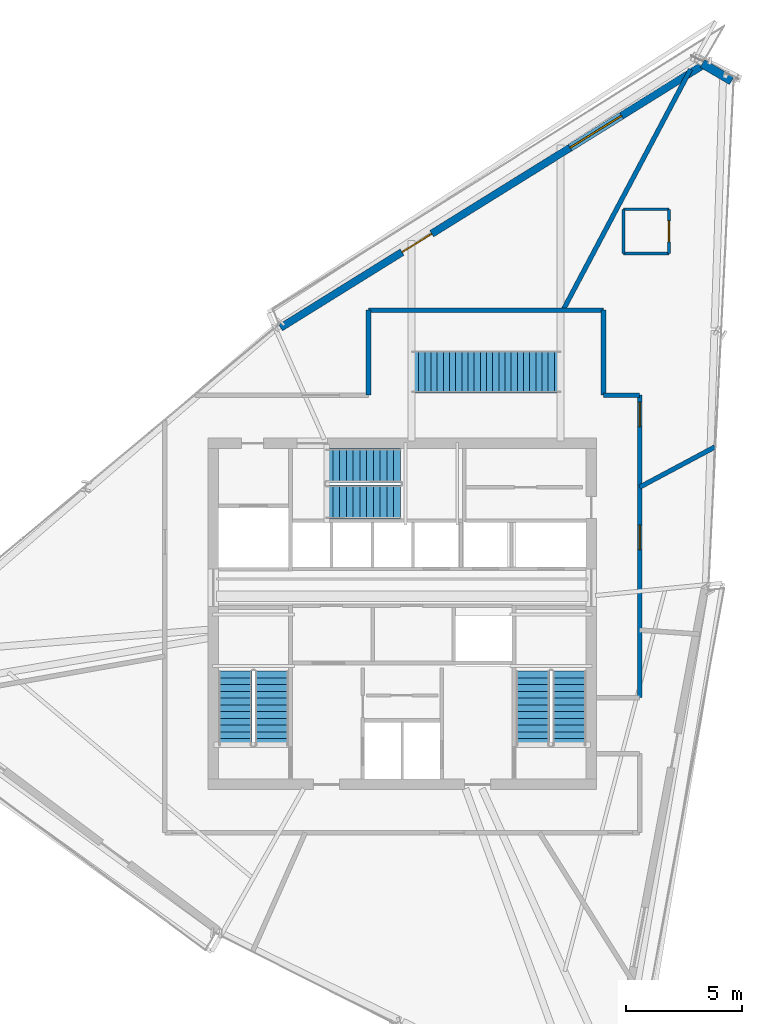
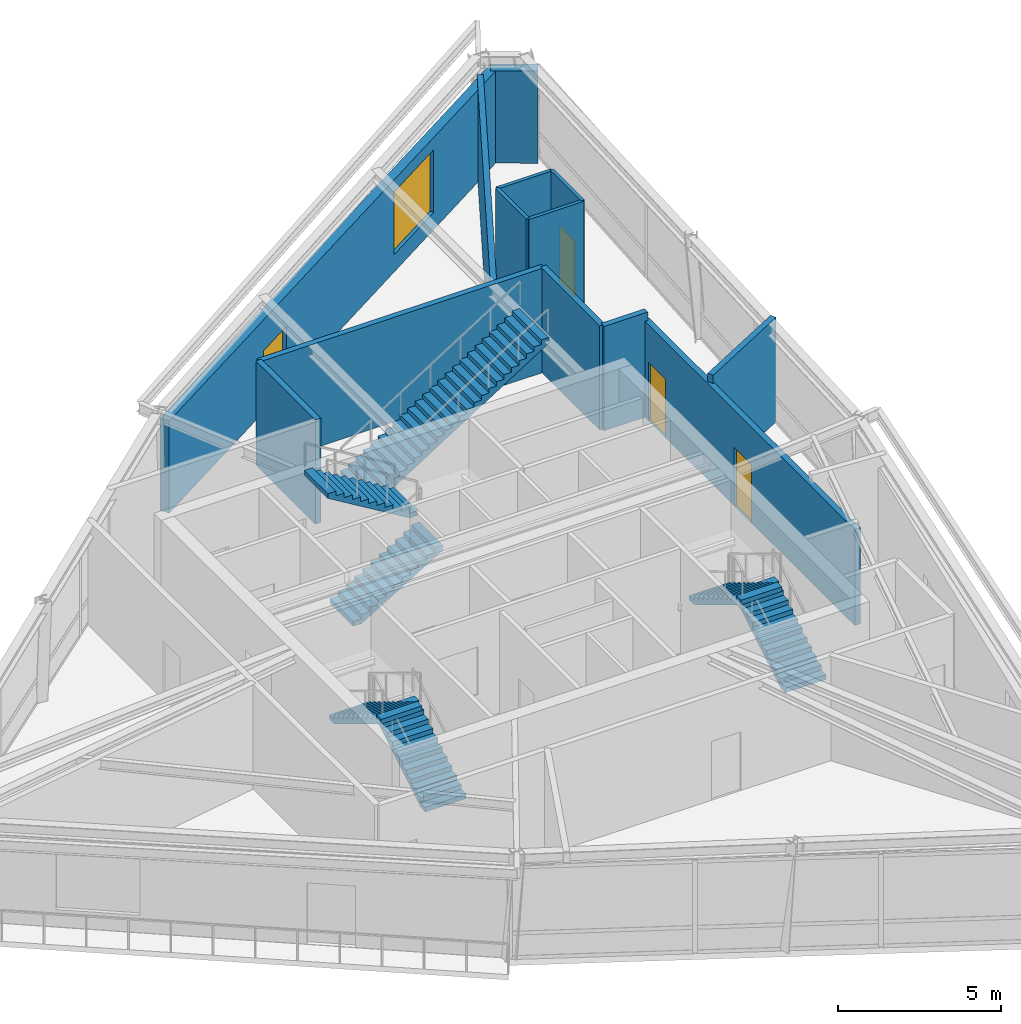
# One storey, part 18 of 21: 13 walls, 7 stair flights, 4 doors, 1 window, 5 openings, 4 elements without a shape of their own.
"""IFC4 building model written with IfcOpenShell, lengths in metres."""

import ifcopenshell
import ifcopenshell.guid

model = None  # the IFC model being written
_history = None  # IfcOwnerHistory: only IFC2X3 demands one
_inside = {}  # id of a spatial element -> (the spatial element, [elements in it])
_under = {}  # id of a project, library or spatial element -> (it, [spatial elements below it])
_declared = {}  # id of a project -> (the project, [libraries it declares])
_typed = {}  # id of a type object -> (the type object, [elements of that type])
_made_of = {}  # id of a material, layer set ... -> (it, [elements and type objects made of it])


def new_model(schema):
    """Start an empty IFC model of exactly this schema.

    Asked for "IFC4X3", IfcOpenShell would pick the latest addendum, in which some entities
    have other attributes; the version numbers below select the first issue.
    IFC2X3 requires an IfcOwnerHistory on every rooted entity: one is made here for all.
    """
    global model, _history
    if schema == "IFC4X3":
        model = ifcopenshell.file(schema_version=(4, 3, 0, 0))
    else:
        model = ifcopenshell.file(schema=schema)
    _inside.clear()
    _under.clear()
    _declared.clear()
    _typed.clear()
    _made_of.clear()
    _history = None
    if model.schema == "IFC2X3":
        org = make("IfcOrganization", Name="unknown")
        user = make(
            "IfcPersonAndOrganization",
            ThePerson=make("IfcPerson", FamilyName="unknown"),
            TheOrganization=org,
        )
        app = make(
            "IfcApplication",
            ApplicationDeveloper=org,
            Version="unknown",
            ApplicationFullName="unknown",
            ApplicationIdentifier="unknown",
        )
        _history = make(
            "IfcOwnerHistory",
            OwningUser=user,
            OwningApplication=app,
            ChangeAction="ADDED",
            CreationDate=0,
        )
    return model


def make(cls, **values):
    """One entity of the class cls with the attributes given. An attribute that is None is left unset."""
    return model.create_entity(
        cls, **{name: value for name, value in values.items() if value is not None}
    )


def rooted(cls, **values):
    """An entity with a GlobalId (a new one), such as an element, a storey or a relation."""
    return make(cls, GlobalId=ifcopenshell.guid.new(), OwnerHistory=_history, **values)


def si_unit(unit_type, name, prefix=None):
    """IfcSIUnit, for example si_unit("LENGTHUNIT", "METRE", prefix="MILLI")."""
    return make("IfcSIUnit", UnitType=unit_type, Prefix=prefix, Name=name)


def assignment(units):
    """IfcUnitAssignment: the units of a project."""
    return None if units is None else make("IfcUnitAssignment", Units=units)


def point(xyz):
    """IfcCartesianPoint."""
    return None if xyz is None else make("IfcCartesianPoint", Coordinates=xyz)


def direction(xyz):
    """IfcDirection."""
    return None if xyz is None else make("IfcDirection", DirectionRatios=xyz)


def frame(location, z_axis=None, x_axis=None):
    """IfcAxis2Placement3D, a coordinate frame: its origin and axes. An axis left out is left unset."""
    return make(
        "IfcAxis2Placement3D",
        Location=point(location),
        Axis=direction(z_axis),
        RefDirection=direction(x_axis),
    )


def frame_2d(location, x_axis=None):
    """IfcAxis2Placement2D, a coordinate frame in the plane: its origin and x axis."""
    return make(
        "IfcAxis2Placement2D", Location=point(location), RefDirection=direction(x_axis)
    )


def origin():
    """The frame at (0, 0, 0) with its axes left unset."""
    return frame((0.0, 0.0, 0.0))


def place(relative_to, where):
    """IfcLocalPlacement: puts the frame where relative to a parent placement (None: the world)."""
    return make(
        "IfcLocalPlacement", PlacementRelTo=relative_to, RelativePlacement=where
    )


def context(
    kind, dimensions, precision=None, world=None, true_north=None, identifier=None
):
    """IfcGeometricRepresentationContext, for example the 3D "Model" context."""
    return make(
        "IfcGeometricRepresentationContext",
        ContextIdentifier=identifier,
        ContextType=kind,
        CoordinateSpaceDimension=dimensions,
        Precision=precision,
        WorldCoordinateSystem=world,
        TrueNorth=true_north,
    )


def subcontext(parent, identifier, kind, view, scale=None):
    """IfcGeometricRepresentationSubContext, for example "Body" below "Model"."""
    return make(
        "IfcGeometricRepresentationSubContext",
        ContextIdentifier=identifier,
        ContextType=kind,
        ParentContext=parent,
        TargetScale=scale,
        TargetView=view,
    )


def project(units=None, contexts=None):
    """IfcProject with its units and contexts."""
    return rooted(
        "IfcProject",
        Name="project",
        RepresentationContexts=contexts,
        UnitsInContext=assignment(units),
    )


def spatial(cls, under=None, at=None, **own):
    """A site, building, storey or space (cls), placed at a placement, below another one or the project."""
    s = rooted(cls, ObjectPlacement=at, **own)
    if under is not None:
        _under.setdefault(under.id(), (under, []))[1].append(s)
    return s


def polyline(points):
    """IfcPolyline through the points."""
    return make("IfcPolyline", Points=[point(p) for p in points])


def profile(cls, at=None, kind="AREA", **sizes):
    """A parametric profile (cls). Its sizes go by their IFC names, for example OverallWidth=200.0."""
    return make(cls, ProfileType=kind, Position=at, **sizes)


def rectangle(**sizes):
    """IfcRectangleProfileDef."""
    return profile("IfcRectangleProfileDef", **sizes)


def outline(outer, holes=None, kind="AREA"):
    """IfcArbitraryClosedProfileDef: a profile drawn as a closed curve; with holes, ...WithVoids."""
    if holes is None:
        return make("IfcArbitraryClosedProfileDef", ProfileType=kind, OuterCurve=outer)
    return make(
        "IfcArbitraryProfileDefWithVoids",
        ProfileType=kind,
        OuterCurve=outer,
        InnerCurves=holes,
    )


def extrude(swept, where, along, depth):
    """IfcExtrudedAreaSolid: the profile swept, set in the frame where, extruded along a direction by depth."""
    return make(
        "IfcExtrudedAreaSolid",
        SweptArea=swept,
        Position=where,
        ExtrudedDirection=direction(along),
        Depth=depth,
    )


def shape(context_of_items, identifier, shape_type, items):
    """IfcShapeRepresentation: the items that make up one representation, for example the "Body"."""
    return make(
        "IfcShapeRepresentation",
        ContextOfItems=context_of_items,
        RepresentationIdentifier=identifier,
        RepresentationType=shape_type,
        Items=items,
    )


def source(mapping_origin, context_of_items, identifier, shape_type, items):
    """IfcRepresentationMap: a shape defined once, which mapped items show again and again."""
    return make(
        "IfcRepresentationMap",
        MappingOrigin=mapping_origin,
        MappedRepresentation=shape(context_of_items, identifier, shape_type, items),
    )


def transform(
    local_origin,
    x_axis=None,
    y_axis=None,
    z_axis=None,
    scale=None,
    scale2=None,
    scale3=None,
    uniform=True,
):
    """IfcCartesianTransformationOperator3D, or its non-uniform kind. x_axis, y_axis, z_axis: its Axis1, 2, 3."""
    if uniform:
        return make(
            "IfcCartesianTransformationOperator3D",
            Axis1=direction(x_axis),
            Axis2=direction(y_axis),
            LocalOrigin=point(local_origin),
            Scale=scale,
            Axis3=direction(z_axis),
        )
    return make(
        "IfcCartesianTransformationOperator3DnonUniform",
        Axis1=direction(x_axis),
        Axis2=direction(y_axis),
        LocalOrigin=point(local_origin),
        Scale=scale,
        Axis3=direction(z_axis),
        Scale2=scale2,
        Scale3=scale3,
    )


def mapped(mapping_source, mapping_target):
    """IfcMappedItem: shows the shape of a source again, moved by a transform."""
    return make(
        "IfcMappedItem", MappingSource=mapping_source, MappingTarget=mapping_target
    )


def material(Name=None, Category=None):
    """IfcMaterial."""
    return make("IfcMaterial", Name=Name, Category=Category)


def layer(
    of_material, thickness, ventilated=None, Name=None, Category=None, Priority=None
):
    """IfcMaterialLayer: one layer of a wall or slab, of a material (None: an air gap)."""
    return make(
        "IfcMaterialLayer",
        Material=of_material,
        LayerThickness=thickness,
        IsVentilated=ventilated,
        Name=Name,
        Category=Category,
        Priority=Priority,
    )


def layer_set(layers, Name=None):
    """IfcMaterialLayerSet."""
    return make("IfcMaterialLayerSet", MaterialLayers=layers, LayerSetName=Name)


def made_of(thing, what):
    """Note that an element or type object is made of a material, layer set ...; save() writes the relation."""
    if what is not None:
        _made_of.setdefault(what.id(), (what, []))[1].append(thing)
    return thing


def type_object(cls, material=None, **own):
    """A type object (cls), such as IfcWallType, which elements share."""
    return made_of(rooted(cls, **own), material)


def type_shapes(of_type, sources):
    """Give a type object the sources (RepresentationMaps) that its elements show as mapped items."""
    of_type.RepresentationMaps = sources


def element(
    cls,
    number,
    at=None,
    inside=None,
    cuts=None,
    type_object=None,
    material=None,
    context=None,
    identifier="Body",
    shape_type=None,
    held_by="IfcProductDefinitionShape",
    body=None,
    shapes=None,
    **own,
):
    """One element of the class cls, such as IfcWall. Its Tag is "e" and its number.

    at: its placement. inside: the storey or other place that contains it. cuts: it is an
    opening in that element (IfcRelVoidsElement). A single representation is given by context,
    identifier, shape_type and body (its items); several are given by shapes. held_by: the class
    of the entity that holds the representations. save() writes the other relations.
    """
    e = rooted(cls, Tag="e%d" % number, ObjectPlacement=at, **own)
    if body is not None:
        shapes = [shape(context, identifier, shape_type, body)]
    if shapes is not None:
        e.Representation = make(held_by, Representations=shapes)
    if inside is not None:
        _inside.setdefault(inside.id(), (inside, []))[1].append(e)
    if cuts is not None:
        rooted(
            "IfcRelVoidsElement", RelatingBuildingElement=cuts, RelatedOpeningElement=e
        )
    if type_object is not None:
        _typed.setdefault(type_object.id(), (type_object, []))[1].append(e)
    return made_of(e, material)


def fill(opening, filler):
    """IfcRelFillsElement: the door or window that sits in an opening."""
    return rooted(
        "IfcRelFillsElement",
        RelatingOpeningElement=opening,
        RelatedBuildingElement=filler,
    )


def aggregate(whole, parts):
    """IfcRelAggregates: a whole, such as a stair, and the parts it consists of."""
    return rooted("IfcRelAggregates", RelatingObject=whole, RelatedObjects=parts)


def save(model, path):
    """Write the relations noted so far, then the file.

    IfcRelAggregates (storeys below a building ...), IfcRelContainedInSpatialStructure (elements
    in a storey), IfcRelDefinesByType, IfcRelAssociatesMaterial and IfcRelDeclares: one each for
    every whole, place, type object, material and project.
    """
    for whole, parts in _under.values():
        aggregate(whole, parts)
    for where, things in _inside.values():
        rooted(
            "IfcRelContainedInSpatialStructure",
            RelatedElements=things,
            RelatingStructure=where,
        )
    for kind, things in _typed.values():
        rooted("IfcRelDefinesByType", RelatedObjects=things, RelatingType=kind)
    for what, things in _made_of.values():
        rooted("IfcRelAssociatesMaterial", RelatedObjects=things, RelatingMaterial=what)
    for by, libraries in _declared.values():
        rooted("IfcRelDeclares", RelatingContext=by, RelatedDefinitions=libraries)
    model.write(path)


model = new_model("IFC4")

# Units and contexts
model_context = context("Model", 3, precision=1e-05, world=origin(), true_north=direction((0.0, 1.0)))
body_context = subcontext(model_context, "Body", "Model", "MODEL_VIEW")
ifc_project = project(units=[si_unit("LENGTHUNIT", "METRE"), si_unit("AREAUNIT", "SQUARE_METRE"), si_unit("VOLUMEUNIT", "CUBIC_METRE"), si_unit("PLANEANGLEUNIT", "RADIAN"), si_unit("MASSUNIT", "GRAM", prefix="KILO")], contexts=[model_context])

# Site, building, storey
site_placement = place(None, origin())
site = spatial("IfcSite", under=ifc_project, at=site_placement, CompositionType="ELEMENT")
building_placement = place(site_placement, origin())
building = spatial("IfcBuilding", under=site, at=building_placement, Name="Olszyna Solenne Hotel", CompositionType="ELEMENT")
storey_placement = place(building_placement, frame((0.0, 0.0, 277.699951171875)))
storey = spatial("IfcBuildingStorey", under=building, at=storey_placement, Name="L74", CompositionType="ELEMENT", Elevation=277.699951171875)

# Wall, openings, door, window
ifc_material_1 = material(Name="Precast concrete C45/55", Category="concrete")
ifc_layer_1 = layer(ifc_material_1, 0.320068359375, Name="Precast concrete C45/55")
ifc_layer_set_1 = layer_set([ifc_layer_1], Name="Precast concrete C45/55")
wall_type_1 = type_object("IfcWallType", Name="WL-EX320", PredefinedType="SOLIDWALL", material=ifc_layer_set_1)
wall_1_placement = place(storey_placement, frame((32.773681640625, 38.897705078125, 0.0), z_axis=(0.0, 0.0, 1.0), x_axis=(0.849325275004, 0.527869848769, 0.0)))
wall_1 = element("IfcWall", 1, at=wall_1_placement, inside=storey, type_object=wall_type_1, Name="Exterior terracotta-precast frame wall WL-EX320 EW-L74-08", PredefinedType="SOLIDWALL", context=body_context, shape_type="SweptSolid", body=[
    extrude(rectangle(XDim=21.548828125, YDim=0.320068359375, at=frame_2d((10.7744140625, 0.0))), origin(), (0.0, 0.0, 1.0), 3.462158203125),
])
opening_1_placement = place(wall_1_placement, frame((6.14599609375, 0.0, 0.0)))
opening_1 = element("IfcOpeningElement", 2, at=opening_1_placement, cuts=wall_1, Name="Opening LDG-L74-1", PredefinedType="OPENING", context=body_context, shape_type="SweptSolid", body=[
    extrude(rectangle(XDim=1.5, YDim=2.300048828125, at=frame_2d((0.75, 1.14990234375))), frame((0.0, 0.169921875, 0.0), z_axis=(0.0, -1.0, 0.0), x_axis=(1.0, 0.0, 0.0)), (0.0, 0.0, 1.0), 0.340087890625),
])
opening_2_placement = place(wall_1_placement, frame((14.64599609375, 0.0, 0.64990234375)))
opening_2 = element("IfcOpeningElement", 3, at=opening_2_placement, cuts=wall_1, Name="Opening WN-L74-496", PredefinedType="OPENING", context=body_context, shape_type="SweptSolid", body=[
    extrude(rectangle(XDim=2.60009765625, YDim=2.35009765625, at=frame_2d((1.300048828125, 1.175048828125))), frame((0.0, 0.169921875, 0.0), z_axis=(0.0, -1.0, 0.0), x_axis=(1.0, 0.0, 0.0)), (0.0, 0.0, 1.0), 0.340087890625),
])
ifc_material_2 = material(Name="Anodised bronze aluminium", Category="aluminium")
door_type_1 = type_object("IfcDoorType", Name="DR-LG2", OperationType="DOUBLE_DOOR_SINGLE_SWING", PredefinedType="DOOR", material=ifc_material_2)
shared_shape_1 = source(origin(), body_context, "Body", "SweptSolid", [
    extrude(rectangle(XDim=1.5, YDim=2.300048828125, at=frame_2d((0.75, 1.14990234375))), frame((0.0, 0.02490234375, 0.0), z_axis=(0.0, -1.0, 0.0), x_axis=(1.0, 0.0, 0.0)), (0.0, 0.0, 1.0), 0.050048828125),
])
type_shapes(door_type_1, [shared_shape_1])
door_1_placement = place(opening_1_placement, origin())
door_1 = element("IfcDoor", 4, at=door_1_placement, inside=storey, type_object=door_type_1, Name="Exterior loggia balcony door DR-LG2 LDG-L74-1", OperationType="DOUBLE_DOOR_SINGLE_SWING", OverallHeight=2.300048828125, OverallWidth=1.5, PredefinedType="DOOR", context=body_context, shape_type="MappedRepresentation", body=[
    mapped(shared_shape_1, transform((0.0, 0.0, 0.0), x_axis=(1.0, 0.0, 0.0), y_axis=(0.0, 1.0, 0.0), z_axis=(0.0, 0.0, 1.0), scale=1.0)),
])
fill(opening_1, door_1)
ifc_material_3 = material(Name="Low-E triple glazing", Category="glass")
window_type = type_object("IfcWindowType", Name="WN-ST1", PartitioningType="SINGLE_PANEL", PredefinedType="WINDOW", material=ifc_material_3)
shared_shape_2 = source(origin(), body_context, "Body", "SweptSolid", [
    extrude(rectangle(XDim=2.60009765625, YDim=2.35009765625, at=frame_2d((1.300048828125, 1.175048828125))), frame((0.0, 0.030029296875, 0.0), z_axis=(0.0, -1.0, 0.0), x_axis=(1.0, 0.0, 0.0)), (0.0, 0.0, 1.0), 0.06005859375),
])
type_shapes(window_type, [shared_shape_2])
window_placement = place(opening_2_placement, origin())
window = element("IfcWindow", 5, at=window_placement, inside=storey, type_object=window_type, Name="Loggia room window WN-ST1 WN-L74-496", OverallHeight=2.35009765625, OverallWidth=2.60009765625, PartitioningType="SINGLE_PANEL", PredefinedType="WINDOW", context=body_context, shape_type="MappedRepresentation", body=[
    mapped(shared_shape_2, transform((0.0, 0.0, 0.0), x_axis=(1.0, 0.0, 0.0), y_axis=(0.0, 1.0, 0.0), z_axis=(0.0, 0.0, 1.0), scale=1.0)),
])
fill(opening_2, window)

# Wall
ifc_material_4 = material(Name="Terracotta cladding on precast concrete C45/55", Category="masonry")
ifc_layer_2 = layer(ifc_material_4, 0.3798828125, Name="Terracotta cladding on precast concrete C45/55")
ifc_layer_set_2 = layer_set([ifc_layer_2], Name="Terracotta cladding on precast concrete C45/55")
wall_type_2 = type_object("IfcWallType", Name="WL-EX380", PredefinedType="SOLIDWALL", material=ifc_layer_set_2)
wall_2_placement = place(storey_placement, frame((50.89501953125, 50.244873046875, 0.0), z_axis=(0.0, 0.0, 1.0), x_axis=(0.862045920942, -0.506830178844, 0.0)))
element("IfcWall", 6, at=wall_2_placement, inside=storey, type_object=wall_type_2, Name="Exterior terracotta-precast frame wall WL-EX380 EW-L74-09", PredefinedType="SOLIDWALL", context=body_context, shape_type="SweptSolid", body=[
    extrude(rectangle(XDim=1.46044921875, YDim=0.3798828125, at=frame_2d((0.730224609375, 0.0))), origin(), (0.0, 0.0, 1.0), 3.462158203125),
])

# Wall, opening, door
ifc_material_5 = material(Name="Acoustic gypsum partition", Category="gypsum")
ifc_layer_3 = layer(ifc_material_5, 0.125, Name="Acoustic gypsum partition")
ifc_layer_set_3 = layer_set([ifc_layer_3], Name="Acoustic gypsum partition")
wall_type_3 = type_object("IfcWallType", Name="WL-PT125", PredefinedType="PARTITIONING", material=ifc_layer_set_3)
wall_3_placement = place(storey_placement, frame((49.462890625, 42.083984375, 0.0), z_axis=(0.0, 0.0, 1.0), x_axis=(0.0, 1.0, 0.0)))
wall_3 = element("IfcWall", 7, at=wall_3_placement, inside=storey, type_object=wall_type_3, Name="Interior acoustic partition WL-PT125 PW-L74-4058", PredefinedType="PARTITIONING", context=body_context, shape_type="SweptSolid", body=[
    extrude(rectangle(XDim=1.89990234375, YDim=0.125, at=frame_2d((0.949951171875, 0.0))), origin(), (0.0, 0.0, 1.0), 3.920166015625),
])
opening_3_placement = place(wall_3_placement, frame((0.5, 0.0, 0.0)))
opening_3 = element("IfcOpeningElement", 8, at=opening_3_placement, cuts=wall_3, Name="Opening DR-L74-0980", PredefinedType="OPENING", context=body_context, shape_type="SweptSolid", body=[
    extrude(rectangle(XDim=0.89990234375, YDim=2.10009765625, at=frame_2d((0.449951171875, 1.050048828125))), frame((0.0, 0.072509765625, 0.0), z_axis=(0.0, -1.0, 0.0), x_axis=(1.0, 0.0, 0.0)), (0.0, 0.0, 1.0), 0.14501953125),
])
ifc_material_6 = material(Name="Timber hardwood", Category="wood")
door_type_2 = type_object("IfcDoorType", Name="DR-WC1", OperationType="NOTDEFINED", PredefinedType="DOOR", material=ifc_material_6)
shared_shape_3 = source(origin(), body_context, "Body", "SweptSolid", [
    extrude(rectangle(XDim=0.89990234375, YDim=2.10009765625, at=frame_2d((0.449951171875, 1.050048828125))), frame((0.0, 0.02490234375, 0.0), z_axis=(0.0, -1.0, 0.0), x_axis=(1.0, 0.0, 0.0)), (0.0, 0.0, 1.0), 0.050048828125),
])
type_shapes(door_type_2, [shared_shape_3])
door_2_placement = place(opening_3_placement, origin())
door_2 = element("IfcDoor", 9, at=door_2_placement, inside=storey, type_object=door_type_2, Name="En-Suite Bathroom Door DR-L74-0980", OperationType="SINGLE_SWING_LEFT", OverallHeight=2.10009765625, OverallWidth=0.89990234375, PredefinedType="DOOR", context=body_context, shape_type="MappedRepresentation", body=[
    mapped(shared_shape_3, transform((0.0, 0.0, 0.0), x_axis=(1.0, 0.0, 0.0), y_axis=(0.0, 1.0, 0.0), z_axis=(0.0, 0.0, 1.0), scale=1.0)),
])
fill(opening_3, door_2)

# Walls
wall_4_placement = place(storey_placement, frame((49.462890625, 43.98388671875, 0.0), z_axis=(0.0, 0.0, 1.0), x_axis=(-1.0, 0.0, 0.0)))
element("IfcWall", 10, at=wall_4_placement, inside=storey, type_object=wall_type_3, Name="Interior acoustic partition WL-PT125 PW-L74-4059", PredefinedType="PARTITIONING", context=body_context, shape_type="SweptSolid", body=[
    extrude(rectangle(XDim=1.949951171875, YDim=0.125, at=frame_2d((0.97509765625, 0.0))), origin(), (0.0, 0.0, 1.0), 3.920166015625),
])
wall_5_placement = place(storey_placement, frame((47.512939453125, 43.98388671875, 0.0), z_axis=(0.0, 0.0, 1.0), x_axis=(0.0, -1.0, 0.0)))
element("IfcWall", 11, at=wall_5_placement, inside=storey, type_object=wall_type_3, Name="Interior acoustic partition WL-PT125 PW-L74-4060", PredefinedType="PARTITIONING", context=body_context, shape_type="SweptSolid", body=[
    extrude(rectangle(XDim=1.89990234375, YDim=0.125, at=frame_2d((0.949951171875, 0.0))), origin(), (0.0, 0.0, 1.0), 3.920166015625),
])
wall_6_placement = place(storey_placement, frame((47.512939453125, 42.083984375, 0.0), z_axis=(0.0, 0.0, 1.0), x_axis=(1.0, 0.0, 0.0)))
element("IfcWall", 12, at=wall_6_placement, inside=storey, type_object=wall_type_3, Name="Interior acoustic partition WL-PT125 PW-L74-4061", PredefinedType="PARTITIONING", context=body_context, shape_type="SweptSolid", body=[
    extrude(rectangle(XDim=1.949951171875, YDim=0.125, at=frame_2d((0.97509765625, 0.0))), origin(), (0.0, 0.0, 1.0), 3.920166015625),
])
ifc_layer_4 = layer(ifc_material_5, 0.199951171875, Name="Acoustic gypsum partition")
ifc_layer_set_4 = layer_set([ifc_layer_4], Name="Acoustic gypsum partition")
wall_type_4 = type_object("IfcWallType", Name="WL-PT200", PredefinedType="PARTITIONING", material=ifc_layer_set_4)
wall_7_placement = place(storey_placement, frame((44.90966796875, 39.64990234375, 0.0), z_axis=(0.0, 0.0, 1.0), x_axis=(0.467924120406, 0.883768644806, 0.0)))
element("IfcWall", 13, at=wall_7_placement, inside=storey, type_object=wall_type_4, Name="Interior acoustic partition WL-PT200 PW-L74-4052", PredefinedType="PARTITIONING", context=body_context, shape_type="SweptSolid", body=[
    extrude(rectangle(XDim=11.710205078125, YDim=0.199951171875, at=frame_2d((5.85498046875, 0.0))), origin(), (0.0, 0.0, 1.0), 3.51513671875),
])
wall_8_placement = place(storey_placement, frame((48.199951171875, 32.04638671875, 0.0), z_axis=(0.0, 0.0, 1.0), x_axis=(0.882140511226, 0.470986325124, 0.0)))
element("IfcWall", 14, at=wall_8_placement, inside=storey, type_object=wall_type_4, Name="Interior acoustic partition WL-PT200 PW-L74-4057", PredefinedType="PARTITIONING", context=body_context, shape_type="SweptSolid", body=[
    extrude(rectangle(XDim=3.66015625, YDim=0.199951171875, at=frame_2d((1.830078125, 0.0))), origin(), (0.0, 0.0, 1.0), 3.920166015625),
])
wall_9_placement = place(storey_placement, frame((46.64990234375, 36.0, 0.0), z_axis=(0.0, 0.0, 1.0), x_axis=(1.0, 0.0, 0.0)))
element("IfcWall", 15, at=wall_9_placement, inside=storey, type_object=wall_type_4, Name="Interior acoustic partition WL-PT200 PW-L74-4065", PredefinedType="PARTITIONING", context=body_context, shape_type="SweptSolid", body=[
    extrude(rectangle(XDim=1.550048828125, YDim=0.199951171875, at=frame_2d((0.77490234375, 0.0))), origin(), (0.0, 0.0, 1.0), 3.920166015625),
])

# Wall, openings, doors
wall_10_placement = place(storey_placement, frame((48.199951171875, 23.0, 0.0), z_axis=(0.0, 0.0, 1.0), x_axis=(0.0, 1.0, 0.0)))
wall_10 = element("IfcWall", 16, at=wall_10_placement, inside=storey, type_object=wall_type_4, Name="Interior acoustic partition WL-PT200 PW-L74-4068", PredefinedType="PARTITIONING", context=body_context, shape_type="SweptSolid", body=[
    extrude(rectangle(XDim=13.0, YDim=0.199951171875, at=frame_2d((6.5, 0.0))), origin(), (0.0, 0.0, 1.0), 3.60498046875),
])
opening_4_placement = place(wall_10_placement, frame((6.365966796875, 0.0, 0.0)))
opening_4 = element("IfcOpeningElement", 17, at=opening_4_placement, cuts=wall_10, Name="Opening DR-L74-0986", PredefinedType="OPENING", context=body_context, shape_type="SweptSolid", body=[
    extrude(rectangle(XDim=1.050048828125, YDim=2.199951171875, at=frame_2d((0.52490234375, 1.10009765625))), frame((0.0, 0.10986328125, 0.0), z_axis=(0.0, -1.0, 0.0), x_axis=(1.0, 0.0, 0.0)), (0.0, 0.0, 1.0), 0.219970703125),
])
opening_5_placement = place(wall_10_placement, frame((11.64990234375, 0.0, 0.0)))
opening_5 = element("IfcOpeningElement", 18, at=opening_5_placement, cuts=wall_10, Name="Opening DR-L74-0987", PredefinedType="OPENING", context=body_context, shape_type="SweptSolid", body=[
    extrude(rectangle(XDim=1.050048828125, YDim=2.199951171875, at=frame_2d((0.52490234375, 1.10009765625))), frame((0.0, 0.10986328125, 0.0), z_axis=(0.0, -1.0, 0.0), x_axis=(1.0, 0.0, 0.0)), (0.0, 0.0, 1.0), 0.219970703125),
])
door_type_3 = type_object("IfcDoorType", Name="DR-RM2", OperationType="NOTDEFINED", PredefinedType="DOOR", material=ifc_material_6)
shared_shape_4 = source(origin(), body_context, "Body", "SweptSolid", [
    extrude(rectangle(XDim=1.050048828125, YDim=2.199951171875, at=frame_2d((0.52490234375, 1.10009765625))), frame((0.0, 0.02490234375, 0.0), z_axis=(0.0, -1.0, 0.0), x_axis=(1.0, 0.0, 0.0)), (0.0, 0.0, 1.0), 0.050048828125),
])
type_shapes(door_type_3, [shared_shape_4])
door_3_placement = place(opening_4_placement, origin())
door_3 = element("IfcDoor", 19, at=door_3_placement, inside=storey, type_object=door_type_3, Name="VIP Chef Table Room Entrance Door DR-L74-0986", OperationType="SINGLE_SWING_RIGHT", OverallHeight=2.199951171875, OverallWidth=1.050048828125, PredefinedType="DOOR", context=body_context, shape_type="MappedRepresentation", body=[
    mapped(shared_shape_4, transform((0.0, 0.0, 0.0), x_axis=(1.0, 0.0, 0.0), y_axis=(0.0, 1.0, 0.0), z_axis=(0.0, 0.0, 1.0), scale=1.0)),
])
fill(opening_4, door_3)
door_4_placement = place(opening_5_placement, origin())
door_4 = element("IfcDoor", 20, at=door_4_placement, inside=storey, type_object=door_type_3, Name="Executive Reading Salon Entrance Door DR-L74-0987", OperationType="SINGLE_SWING_LEFT", OverallHeight=2.199951171875, OverallWidth=1.050048828125, PredefinedType="DOOR", context=body_context, shape_type="MappedRepresentation", body=[
    mapped(shared_shape_4, transform((0.0, 0.0, 0.0), x_axis=(1.0, 0.0, 0.0), y_axis=(0.0, 1.0, 0.0), z_axis=(0.0, 0.0, 1.0), scale=1.0)),
])
fill(opening_5, door_4)

# Walls
for number, where, z_axis, x_axis, name in (
    (21, (36.550048828125, 36.0, 0.0), (0.0, 0.0, 1.0), (0.0, 1.0, 0.0), "Interior acoustic partition WL-PT200 PW-L74-4070"),
    (22, (46.64990234375, 36.0, 0.0), (0.0, 0.0, 1.0), (0.0, 1.0, 0.0), "Interior acoustic partition WL-PT200 PW-L74-4071"),
):
    element("IfcWall", number, at=place(storey_placement, frame(where, z_axis=z_axis, x_axis=x_axis)), inside=storey, type_object=wall_type_4, Name=name, PredefinedType="PARTITIONING", context=body_context, shape_type="SweptSolid", body=[
        extrude(rectangle(XDim=3.64990234375, YDim=0.199951171875, at=frame_2d((1.824951171875, 0.0))), origin(), (0.0, 0.0, 1.0), 3.920166015625),
    ])
wall_11_placement = place(storey_placement, frame((36.550048828125, 39.64990234375, 0.0), z_axis=(0.0, 0.0, 1.0), x_axis=(1.0, 0.0, 0.0)))
element("IfcWall", 23, at=wall_11_placement, inside=storey, type_object=wall_type_4, Name="Interior acoustic partition WL-PT200 PW-L74-4072", PredefinedType="PARTITIONING", context=body_context, shape_type="SweptSolid", body=[
    extrude(rectangle(XDim=10.099853515625, YDim=0.199951171875, at=frame_2d((5.0498046875, 0.0))), origin(), (0.0, 0.0, 1.0), 3.920166015625),
])

# Stair, stair flights
ifc_material_7 = material(Name="Concrete C40/50", Category="concrete")
stair_type_1 = type_object("IfcStairType", Name="STR-C1", PredefinedType="TWO_QUARTER_WINDING_STAIR", material=ifc_material_7)
stair_1_placement = place(storey_placement, origin())
stair_1 = element("IfcStair", 24, at=stair_1_placement, inside=storey, type_object=stair_type_1, Name="L74 ST1", PredefinedType="TWO_QUARTER_WINDING_STAIR")
stair_flight_type_1 = type_object("IfcStairFlightType", Name="FLT-C1", PredefinedType="STRAIGHT", material=ifc_material_7)
stair_flight_1_placement = place(storey_placement, frame((32.39501953125, 20.949951171875, 0.0), z_axis=(0.0, 0.0, 1.0), x_axis=(0.0, 1.0, 0.0)))
stair_flight_1 = element("IfcStairFlight", 25, at=stair_flight_1_placement, type_object=stair_flight_type_1, Name="ST1 flight 1", NumberOfRisers=12, NumberOfTreads=11, PredefinedType="STRAIGHT", RiserHeight=0.175, TreadLength=0.29, context=body_context, shape_type="SweptSolid", body=[
    extrude(outline(polyline([(0.0, 0.0), (0.0, 0.175048828125), (0.2900390625, 0.175048828125), (0.2900390625, 0.35009765625), (0.580078125, 0.35009765625), (0.580078125, 0.52490234375), (0.8701171875, 0.52490234375), (0.8701171875, 0.699951171875), (1.159912109375, 0.699951171875), (1.159912109375, 0.875), (1.449951171875, 0.875), (1.449951171875, 1.050048828125), (1.739990234375, 1.050048828125), (1.739990234375, 1.22509765625), (2.030029296875, 1.22509765625), (2.030029296875, 1.39990234375), (2.320068359375, 1.39990234375), (2.320068359375, 1.574951171875), (2.610107421875, 1.574951171875), (2.610107421875, 1.75), (2.89990234375, 1.75), (2.89990234375, 1.925048828125), (3.18994140625, 1.925048828125), (3.18994140625, 2.10009765625), (3.18994140625, 1.75), (0.2900390625, 0.0), (0.0, 0.0)])), frame((0.0, 0.72509765625, 0.0), z_axis=(0.0, -1.0, 0.0), x_axis=(1.0, 0.0, 0.0)), (0.0, 0.0, 1.0), 1.449951171875),
])
stair_flight_2_placement = place(storey_placement, frame((30.824951171875, 24.139892578125, 2.10009765625), z_axis=(0.0, 0.0, 1.0), x_axis=(0.0, -1.0, 0.0)))
stair_flight_2 = element("IfcStairFlight", 26, at=stair_flight_2_placement, type_object=stair_flight_type_1, Name="ST1 flight 2", NumberOfRisers=12, NumberOfTreads=11, PredefinedType="STRAIGHT", RiserHeight=0.175, TreadLength=0.29, context=body_context, shape_type="SweptSolid", body=[
    extrude(outline(polyline([(0.0, 0.0), (0.0, 0.175048828125), (0.2900390625, 0.175048828125), (0.2900390625, 0.35009765625), (0.580078125, 0.35009765625), (0.580078125, 0.52490234375), (0.8701171875, 0.52490234375), (0.8701171875, 0.699951171875), (1.159912109375, 0.699951171875), (1.159912109375, 0.875), (1.449951171875, 0.875), (1.449951171875, 1.050048828125), (1.739990234375, 1.050048828125), (1.739990234375, 1.22509765625), (2.030029296875, 1.22509765625), (2.030029296875, 1.39990234375), (2.320068359375, 1.39990234375), (2.320068359375, 1.574951171875), (2.610107421875, 1.574951171875), (2.610107421875, 1.75), (2.89990234375, 1.75), (2.89990234375, 1.925048828125), (3.18994140625, 1.925048828125), (3.18994140625, 2.10009765625), (3.18994140625, 1.75), (0.2900390625, 0.0), (0.0, 0.0)])), frame((0.0, 0.72509765625, 0.0), z_axis=(0.0, -1.0, 0.0), x_axis=(1.0, 0.0, 0.0)), (0.0, 0.0, 1.0), 1.449951171875),
])
aggregate(stair_1, [stair_flight_1, stair_flight_2])

stair_2_placement = place(storey_placement, origin())
stair_2 = element("IfcStair", 27, at=stair_2_placement, inside=storey, type_object=stair_type_1, Name="L74 ST2", PredefinedType="TWO_QUARTER_WINDING_STAIR")
stair_flight_3_placement = place(storey_placement, frame((45.175048828125, 20.949951171875, 0.0), z_axis=(0.0, 0.0, 1.0), x_axis=(0.0, 1.0, 0.0)))
stair_flight_3 = element("IfcStairFlight", 28, at=stair_flight_3_placement, type_object=stair_flight_type_1, Name="ST2 flight 1", NumberOfRisers=12, NumberOfTreads=11, PredefinedType="STRAIGHT", RiserHeight=0.175, TreadLength=0.29, context=body_context, shape_type="SweptSolid", body=[
    extrude(outline(polyline([(0.0, 0.0), (0.0, 0.175048828125), (0.2900390625, 0.175048828125), (0.2900390625, 0.35009765625), (0.580078125, 0.35009765625), (0.580078125, 0.52490234375), (0.8701171875, 0.52490234375), (0.8701171875, 0.699951171875), (1.159912109375, 0.699951171875), (1.159912109375, 0.875), (1.449951171875, 0.875), (1.449951171875, 1.050048828125), (1.739990234375, 1.050048828125), (1.739990234375, 1.22509765625), (2.030029296875, 1.22509765625), (2.030029296875, 1.39990234375), (2.320068359375, 1.39990234375), (2.320068359375, 1.574951171875), (2.610107421875, 1.574951171875), (2.610107421875, 1.75), (2.89990234375, 1.75), (2.89990234375, 1.925048828125), (3.18994140625, 1.925048828125), (3.18994140625, 2.10009765625), (3.18994140625, 1.75), (0.2900390625, 0.0), (0.0, 0.0)])), frame((0.0, 0.72509765625, 0.0), z_axis=(0.0, -1.0, 0.0), x_axis=(1.0, 0.0, 0.0)), (0.0, 0.0, 1.0), 1.449951171875),
])
stair_flight_4_placement = place(storey_placement, frame((43.60498046875, 24.139892578125, 2.10009765625), z_axis=(0.0, 0.0, 1.0), x_axis=(0.0, -1.0, 0.0)))
stair_flight_4 = element("IfcStairFlight", 29, at=stair_flight_4_placement, type_object=stair_flight_type_1, Name="ST2 flight 2", NumberOfRisers=12, NumberOfTreads=11, PredefinedType="STRAIGHT", RiserHeight=0.175, TreadLength=0.29, context=body_context, shape_type="SweptSolid", body=[
    extrude(outline(polyline([(0.0, 0.0), (0.0, 0.175048828125), (0.2900390625, 0.175048828125), (0.2900390625, 0.35009765625), (0.580078125, 0.35009765625), (0.580078125, 0.52490234375), (0.8701171875, 0.52490234375), (0.8701171875, 0.699951171875), (1.159912109375, 0.699951171875), (1.159912109375, 0.875), (1.449951171875, 0.875), (1.449951171875, 1.050048828125), (1.739990234375, 1.050048828125), (1.739990234375, 1.22509765625), (2.030029296875, 1.22509765625), (2.030029296875, 1.39990234375), (2.320068359375, 1.39990234375), (2.320068359375, 1.574951171875), (2.610107421875, 1.574951171875), (2.610107421875, 1.75), (2.89990234375, 1.75), (2.89990234375, 1.925048828125), (3.18994140625, 1.925048828125), (3.18994140625, 2.10009765625), (3.18994140625, 1.75), (0.2900390625, 0.0), (0.0, 0.0)])), frame((0.0, 0.72509765625, 0.0), z_axis=(0.0, -1.0, 0.0), x_axis=(1.0, 0.0, 0.0)), (0.0, 0.0, 1.0), 1.449951171875),
])
aggregate(stair_2, [stair_flight_3, stair_flight_4])

stair_3_placement = place(storey_placement, origin())
stair_3 = element("IfcStair", 30, at=stair_3_placement, inside=storey, type_object=stair_type_1, Name="L74 ST3", PredefinedType="TWO_QUARTER_WINDING_STAIR")
stair_flight_5_placement = place(storey_placement, frame((34.72998046875, 31.405029296875, 0.0), z_axis=(0.0, 0.0, 1.0), x_axis=(1.0, 0.0, 0.0)))
stair_flight_5 = element("IfcStairFlight", 31, at=stair_flight_5_placement, type_object=stair_flight_type_1, Name="ST3 flight 1", NumberOfRisers=12, NumberOfTreads=11, PredefinedType="STRAIGHT", RiserHeight=0.175, TreadLength=0.29, context=body_context, shape_type="SweptSolid", body=[
    extrude(outline(polyline([(0.0, 0.0), (0.0, 0.175048828125), (0.2900390625, 0.175048828125), (0.2900390625, 0.35009765625), (0.580078125, 0.35009765625), (0.580078125, 0.52490234375), (0.8701171875, 0.52490234375), (0.8701171875, 0.699951171875), (1.159912109375, 0.699951171875), (1.159912109375, 0.875), (1.449951171875, 0.875), (1.449951171875, 1.050048828125), (1.739990234375, 1.050048828125), (1.739990234375, 1.22509765625), (2.030029296875, 1.22509765625), (2.030029296875, 1.39990234375), (2.320068359375, 1.39990234375), (2.320068359375, 1.574951171875), (2.610107421875, 1.574951171875), (2.610107421875, 1.75), (2.89990234375, 1.75), (2.89990234375, 1.925048828125), (3.18994140625, 1.925048828125), (3.18994140625, 2.10009765625), (3.18994140625, 1.75), (0.2900390625, 0.0), (0.0, 0.0)])), frame((0.0, 0.72509765625, 0.0), z_axis=(0.0, -1.0, 0.0), x_axis=(1.0, 0.0, 0.0)), (0.0, 0.0, 1.0), 1.449951171875),
])
stair_flight_6_placement = place(storey_placement, frame((37.919921875, 32.97509765625, 2.10009765625), z_axis=(0.0, 0.0, 1.0), x_axis=(-1.0, 0.0, 0.0)))
stair_flight_6 = element("IfcStairFlight", 32, at=stair_flight_6_placement, type_object=stair_flight_type_1, Name="ST3 flight 2", NumberOfRisers=12, NumberOfTreads=11, PredefinedType="STRAIGHT", RiserHeight=0.175, TreadLength=0.29, context=body_context, shape_type="SweptSolid", body=[
    extrude(outline(polyline([(0.0, 0.0), (0.0, 0.175048828125), (0.2900390625, 0.175048828125), (0.2900390625, 0.35009765625), (0.580078125, 0.35009765625), (0.580078125, 0.52490234375), (0.8701171875, 0.52490234375), (0.8701171875, 0.699951171875), (1.159912109375, 0.699951171875), (1.159912109375, 0.875), (1.449951171875, 0.875), (1.449951171875, 1.050048828125), (1.739990234375, 1.050048828125), (1.739990234375, 1.22509765625), (2.030029296875, 1.22509765625), (2.030029296875, 1.39990234375), (2.320068359375, 1.39990234375), (2.320068359375, 1.574951171875), (2.610107421875, 1.574951171875), (2.610107421875, 1.75), (2.89990234375, 1.75), (2.89990234375, 1.925048828125), (3.18994140625, 1.925048828125), (3.18994140625, 2.10009765625), (3.18994140625, 1.75), (0.2900390625, 0.0), (0.0, 0.0)])), frame((0.0, 0.72509765625, 0.0), z_axis=(0.0, -1.0, 0.0), x_axis=(1.0, 0.0, 0.0)), (0.0, 0.0, 1.0), 1.449951171875),
])
aggregate(stair_3, [stair_flight_5, stair_flight_6])

# Stair, stair flight
stair_type_2 = type_object("IfcStairType", Name="STR-SG1", PredefinedType="STRAIGHT_RUN_STAIR", material=ifc_material_7)
stair_4_placement = place(storey_placement, origin())
stair_4 = element("IfcStair", 33, at=stair_4_placement, inside=storey, type_object=stair_type_2, Name="Feature straight architectural stair FS-05", PredefinedType="STRAIGHT_RUN_STAIR")
stair_flight_type_2 = type_object("IfcStairFlightType", Name="FLT-SG1", PredefinedType="STRAIGHT", material=ifc_material_7)
stair_flight_7_placement = place(storey_placement, frame((38.43994140625, 37.0, 0.0), z_axis=(0.0, 0.0, 1.0), x_axis=(1.0, 0.0, 0.0)))
stair_flight_7 = element("IfcStairFlight", 34, at=stair_flight_7_placement, type_object=stair_flight_type_2, Name="Feature stair flight FS-05-FL1", NumberOfRisers=25, NumberOfTreads=24, PredefinedType="STRAIGHT", RiserHeight=0.168, TreadLength=0.265, context=body_context, shape_type="SweptSolid", body=[
    extrude(outline(polyline([(0.0, 0.0), (0.0, 0.16796875), (0.264892578125, 0.16796875), (0.264892578125, 0.3359375), (0.530029296875, 0.3359375), (0.530029296875, 0.50390625), (0.794921875, 0.50390625), (0.794921875, 0.672119140625), (1.06005859375, 0.672119140625), (1.06005859375, 0.840087890625), (1.324951171875, 0.840087890625), (1.324951171875, 1.008056640625), (1.590087890625, 1.008056640625), (1.590087890625, 1.176025390625), (1.85498046875, 1.176025390625), (1.85498046875, 1.343994140625), (2.1201171875, 1.343994140625), (2.1201171875, 1.511962890625), (2.385009765625, 1.511962890625), (2.385009765625, 1.679931640625), (2.64990234375, 1.679931640625), (2.64990234375, 1.847900390625), (2.9150390625, 1.847900390625), (2.9150390625, 2.01611328125), (3.179931640625, 2.01611328125), (3.179931640625, 2.18408203125), (3.445068359375, 2.18408203125), (3.445068359375, 2.35205078125), (3.7099609375, 2.35205078125), (3.7099609375, 2.52001953125), (3.97509765625, 2.52001953125), (3.97509765625, 2.68798828125), (4.239990234375, 2.68798828125), (4.239990234375, 2.85595703125), (4.5048828125, 2.85595703125), (4.5048828125, 3.02392578125), (4.77001953125, 3.02392578125), (4.77001953125, 3.19189453125), (5.034912109375, 3.19189453125), (5.034912109375, 3.360107421875), (5.300048828125, 3.360107421875), (5.300048828125, 3.528076171875), (5.56494140625, 3.528076171875), (5.56494140625, 3.696044921875), (5.830078125, 3.696044921875), (5.830078125, 3.864013671875), (6.094970703125, 3.864013671875), (6.094970703125, 4.031982421875), (6.360107421875, 4.031982421875), (6.360107421875, 4.199951171875), (6.360107421875, 3.81884765625), (0.3359375, 0.0), (0.0, 0.0)])), frame((0.0, 0.89990234375, 0.0), z_axis=(0.0, -1.0, 0.0), x_axis=(1.0, 0.0, 0.0)), (0.0, 0.0, 1.0), 1.800048828125),
])
aggregate(stair_4, [stair_flight_7])

save(model, "model.ifc")
